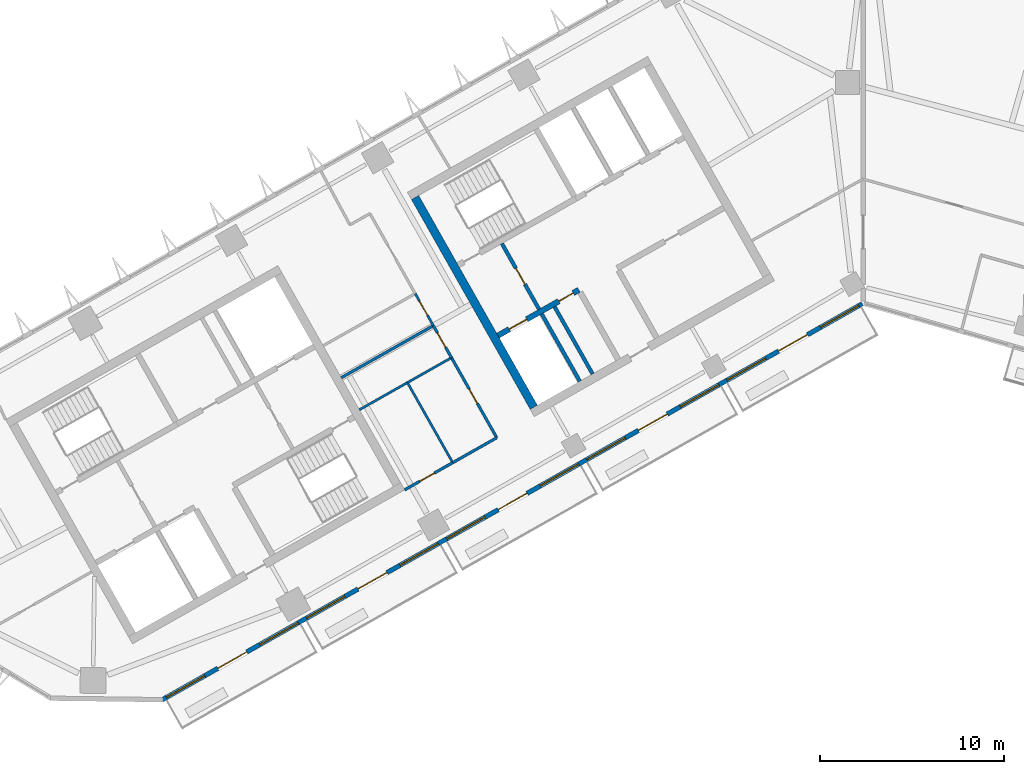
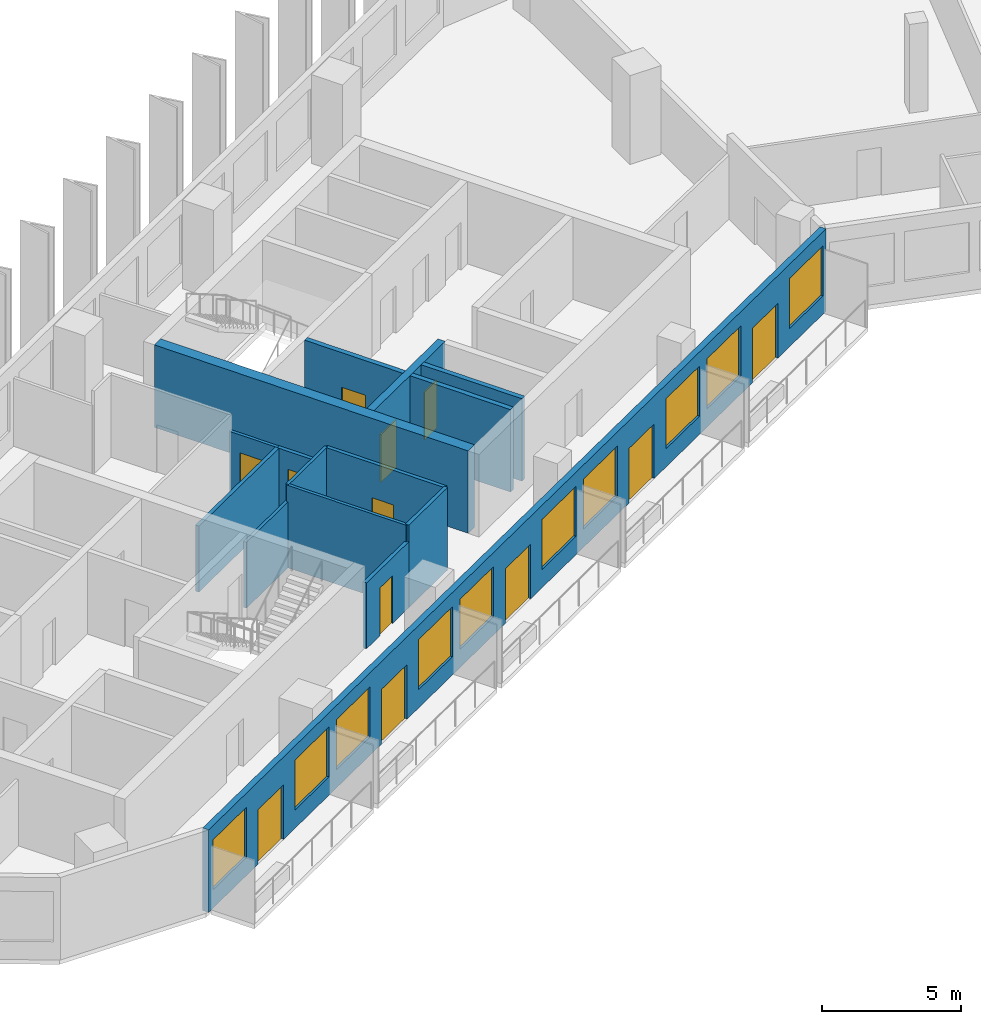
# One storey, part 5 of 11: 15 walls, 12 doors, 10 windows, 22 openings.
"""IFC4 building model written with IfcOpenShell, lengths in metres."""

from ifc_helpers import new_model, si_unit, direction, frame, frame_2d, origin, place, context, subcontext, project, spatial, rectangle, extrude, material, layer, layer_set, type_object, element, fill, save


model = new_model("IFC4")

# Units and contexts
model_context = context("Model", 3, precision=1e-05, world=origin(), true_north=direction((0.0, 1.0)))
body_context = subcontext(model_context, "Body", "Model", "MODEL_VIEW")
ifc_project = project(units=[si_unit("LENGTHUNIT", "METRE"), si_unit("AREAUNIT", "SQUARE_METRE"), si_unit("VOLUMEUNIT", "CUBIC_METRE"), si_unit("PLANEANGLEUNIT", "RADIAN"), si_unit("MASSUNIT", "GRAM", prefix="KILO")], contexts=[model_context])

# Site, building, storey
site_placement = place(None, origin())
site = spatial("IfcSite", under=ifc_project, at=site_placement, CompositionType="ELEMENT")
building_placement = place(site_placement, origin())
building = spatial("IfcBuilding", under=site, at=building_placement, Name="Binnacle Exchange Tower", CompositionType="ELEMENT")
storey_placement = place(building_placement, frame((0.0, 0.0, 207.5)))
storey = spatial("IfcBuildingStorey", under=building, at=storey_placement, Name="L45", CompositionType="ELEMENT", Elevation=207.5)

# Wall, openings, doors
ifc_material_1 = material(Name="Concrete C70/85", Category="concrete")
ifc_layer_1 = layer(ifc_material_1, 0.300048828125)
ifc_layer_set_1 = layer_set([ifc_layer_1], Name="Core wall - front 300")
wall_type_1 = type_object("IfcWallType", Name="Core wall - front 300", PredefinedType="SOLIDWALL", material=ifc_layer_set_1)
wall_1_placement = place(storey_placement, frame((-19.8486328125, 46.242431640625, 0.0), z_axis=(0.0, 0.0, 1.0), x_axis=(0.870347559728, 0.492437940532, 0.0)))
wall_1 = element("IfcWall", 1, at=wall_1_placement, inside=storey, type_object=wall_type_1, Name="Core wall CRWC2", PredefinedType="SOLIDWALL", context=body_context, shape_type="SweptSolid", body=[
    extrude(rectangle(XDim=5.050048828125, YDim=0.300048828125, at=frame_2d((2.52490234375, 0.0))), origin(), (0.0, 0.0, 1.0), 3.6201171875),
])
opening_1_placement = place(wall_1_placement, frame((0.7001953125, 0.0, 0.0)))
opening_1 = element("IfcOpeningElement", 2, at=opening_1_placement, cuts=wall_1, Name="Opening LD14", PredefinedType="OPENING", context=body_context, shape_type="SweptSolid", body=[
    extrude(rectangle(XDim=1.10009765625, YDim=2.10009765625, at=frame_2d((0.550048828125, 1.050048828125))), frame((0.0, 0.159912109375, 0.0), z_axis=(0.0, -1.0, 0.0), x_axis=(1.0, 0.0, 0.0)), (0.0, 0.0, 1.0), 0.320068359375),
])
opening_2_placement = place(wall_1_placement, frame((3.800048828125, 0.0, 0.0)))
opening_2 = element("IfcOpeningElement", 3, at=opening_2_placement, cuts=wall_1, Name="Opening DC14", PredefinedType="OPENING", context=body_context, shape_type="SweptSolid", body=[
    extrude(rectangle(XDim=0.89990234375, YDim=2.10009765625, at=frame_2d((0.449951171875, 1.050048828125))), frame((0.0, 0.159912109375, 0.0), z_axis=(0.0, -1.0, 0.0), x_axis=(1.0, 0.0, 0.0)), (0.0, 0.0, 1.0), 0.320068359375),
])
ifc_material_2 = material(Name="Steel door leaf", Category="steel")
door_type_1 = type_object("IfcDoorType", Name="Fire door - lift landing 1100", OperationType="NOTDEFINED", PredefinedType="DOOR", material=ifc_material_2)
door_1_placement = place(opening_1_placement, origin())
door_1 = element("IfcDoor", 4, at=door_1_placement, inside=storey, type_object=door_type_1, Name="Landing door LD14 L45", OperationType="DOUBLE_DOOR_SLIDING", OverallHeight=2.10009765625, OverallWidth=1.10009765625, PredefinedType="DOOR", context=body_context, shape_type="SweptSolid", body=[
    extrude(rectangle(XDim=1.10009765625, YDim=2.10009765625, at=frame_2d((0.550048828125, 1.050048828125))), frame((0.0, 0.02490234375, 0.0), z_axis=(0.0, -1.0, 0.0), x_axis=(1.0, 0.0, 0.0)), (0.0, 0.0, 1.0), 0.050048828125),
])
fill(opening_1, door_1)
door_type_2 = type_object("IfcDoorType", Name="Fire door 900", OperationType="NOTDEFINED", PredefinedType="DOOR", material=ifc_material_2)
door_2_placement = place(opening_2_placement, frame((0.89990234375, 0.0, 0.0), z_axis=(0.0, 0.0, 1.0), x_axis=(-1.0, 0.0, 0.0)))
door_2 = element("IfcDoor", 5, at=door_2_placement, inside=storey, type_object=door_type_2, Name="Core room door FIBRE ENTRY ROOM", OperationType="SINGLE_SWING_LEFT", OverallHeight=2.10009765625, OverallWidth=0.89990234375, PredefinedType="DOOR", context=body_context, shape_type="SweptSolid", body=[
    extrude(rectangle(XDim=0.89990234375, YDim=2.10009765625, at=frame_2d((0.449951171875, 1.050048828125))), frame((0.0, 0.02490234375, 0.0), z_axis=(0.0, -1.0, 0.0), x_axis=(1.0, 0.0, 0.0)), (0.0, 0.0, 1.0), 0.050048828125),
])
fill(opening_2, door_2)

# Wall
ifc_layer_2 = layer(ifc_material_1, 0.449951171875)
ifc_layer_set_2 = layer_set([ifc_layer_2], Name="Core wall - outer 450")
wall_type_2 = type_object("IfcWallType", Name="Core wall - outer 450", PredefinedType="SOLIDWALL", material=ifc_layer_set_2)
wall_2_placement = place(storey_placement, frame((-24.353271484375, 53.747314453125, 0.0), z_axis=(0.0, 0.0, 1.0), x_axis=(0.492435496286, -0.870348942665, 0.0)))
element("IfcWall", 6, at=wall_2_placement, inside=storey, type_object=wall_type_2, Name="Core wall CRWC7", PredefinedType="SOLIDWALL", context=body_context, shape_type="SweptSolid", body=[
    extrude(rectangle(XDim=13.10009765625, YDim=0.449951171875, at=frame_2d((6.550048828125, 0.0))), origin(), (0.0, 0.0, 1.0), 3.6201171875),
])

# Wall, openings, doors, windows
ifc_material_3 = material(Name="Bronze aluminium cladding", Category="aluminium")
ifc_layer_3 = layer(ifc_material_3, 0.25)
ifc_layer_set_3 = layer_set([ifc_layer_3], Name="External wall - window wall 250")
wall_type_3 = type_object("IfcWallType", Name="External wall - window wall 250", PredefinedType="STANDARD", material=ifc_layer_set_3)
wall_3_placement = place(storey_placement, frame((-0.045654296875, 47.97412109375, 0.0), z_axis=(0.0, 0.0, 1.0), x_axis=(-0.870356579543, -0.492421998337, 0.0)))
wall_3 = element("IfcWall", 7, at=wall_3_placement, inside=storey, type_object=wall_type_3, Name="External wall EW-G01 L45", PredefinedType="STANDARD", context=body_context, shape_type="SweptSolid", body=[
    extrude(rectangle(XDim=43.75390625, YDim=0.25, at=frame_2d((21.876953125, 0.0))), origin(), (0.0, 0.0, 1.0), 3.6201171875),
])
opening_3_placement = place(wall_3_placement, frame((41.061279296875, 0.0, 0.800048828125)))
opening_3 = element("IfcOpeningElement", 8, at=opening_3_placement, cuts=wall_3, Name="Opening WR1", PredefinedType="OPENING", context=body_context, shape_type="SweptSolid", body=[
    extrude(rectangle(XDim=2.39990234375, YDim=2.199951171875, at=frame_2d((1.199951171875, 1.10009765625))), frame((0.0, 0.135009765625, 0.0), z_axis=(0.0, -1.0, 0.0), x_axis=(1.0, 0.0, 0.0)), (0.0, 0.0, 1.0), 0.27001953125),
])
opening_4_placement = place(wall_3_placement, frame((38.443115234375, 0.0, 0.0)))
opening_4 = element("IfcOpeningElement", 9, at=opening_4_placement, cuts=wall_3, Name="Opening D-FS13-01", PredefinedType="OPENING", context=body_context, shape_type="SweptSolid", body=[
    extrude(rectangle(XDim=1.800048828125, YDim=2.39990234375, at=frame_2d((0.89990234375, 1.199951171875))), frame((0.0, 0.135009765625, 0.0), z_axis=(0.0, -1.0, 0.0), x_axis=(1.0, 0.0, 0.0)), (0.0, 0.0, 1.0), 0.27001953125),
])
opening_5_placement = place(wall_3_placement, frame((35.224853515625, 0.0, 0.800048828125)))
opening_5 = element("IfcOpeningElement", 10, at=opening_5_placement, cuts=wall_3, Name="Opening WR1", PredefinedType="OPENING", context=body_context, shape_type="SweptSolid", body=[
    extrude(rectangle(XDim=2.39990234375, YDim=2.199951171875, at=frame_2d((1.199951171875, 1.10009765625))), frame((0.0, 0.135009765625, 0.0), z_axis=(0.0, -1.0, 0.0), x_axis=(1.0, 0.0, 0.0)), (0.0, 0.0, 1.0), 0.27001953125),
])
opening_6_placement = place(wall_3_placement, frame((32.306640625, 0.0, 0.800048828125)))
opening_6 = element("IfcOpeningElement", 11, at=opening_6_placement, cuts=wall_3, Name="Opening WR1", PredefinedType="OPENING", context=body_context, shape_type="SweptSolid", body=[
    extrude(rectangle(XDim=2.39990234375, YDim=2.199951171875, at=frame_2d((1.199951171875, 1.10009765625))), frame((0.0, 0.135009765625, 0.0), z_axis=(0.0, -1.0, 0.0), x_axis=(1.0, 0.0, 0.0)), (0.0, 0.0, 1.0), 0.27001953125),
])
opening_7_placement = place(wall_3_placement, frame((29.6884765625, 0.0, 0.0)))
opening_7 = element("IfcOpeningElement", 12, at=opening_7_placement, cuts=wall_3, Name="Opening D-FS13-02", PredefinedType="OPENING", context=body_context, shape_type="SweptSolid", body=[
    extrude(rectangle(XDim=1.800048828125, YDim=2.39990234375, at=frame_2d((0.89990234375, 1.199951171875))), frame((0.0, 0.135009765625, 0.0), z_axis=(0.0, -1.0, 0.0), x_axis=(1.0, 0.0, 0.0)), (0.0, 0.0, 1.0), 0.27001953125),
])
opening_8_placement = place(wall_3_placement, frame((26.47021484375, 0.0, 0.800048828125)))
opening_8 = element("IfcOpeningElement", 13, at=opening_8_placement, cuts=wall_3, Name="Opening WR1", PredefinedType="OPENING", context=body_context, shape_type="SweptSolid", body=[
    extrude(rectangle(XDim=2.39990234375, YDim=2.199951171875, at=frame_2d((1.199951171875, 1.10009765625))), frame((0.0, 0.135009765625, 0.0), z_axis=(0.0, -1.0, 0.0), x_axis=(1.0, 0.0, 0.0)), (0.0, 0.0, 1.0), 0.27001953125),
])
opening_9_placement = place(wall_3_placement, frame((23.552001953125, 0.0, 0.800048828125)))
opening_9 = element("IfcOpeningElement", 14, at=opening_9_placement, cuts=wall_3, Name="Opening WR1", PredefinedType="OPENING", context=body_context, shape_type="SweptSolid", body=[
    extrude(rectangle(XDim=2.39990234375, YDim=2.199951171875, at=frame_2d((1.199951171875, 1.10009765625))), frame((0.0, 0.135009765625, 0.0), z_axis=(0.0, -1.0, 0.0), x_axis=(1.0, 0.0, 0.0)), (0.0, 0.0, 1.0), 0.27001953125),
])
opening_10_placement = place(wall_3_placement, frame((20.93408203125, 0.0, 0.0)))
opening_10 = element("IfcOpeningElement", 15, at=opening_10_placement, cuts=wall_3, Name="Opening D-FS13-03", PredefinedType="OPENING", context=body_context, shape_type="SweptSolid", body=[
    extrude(rectangle(XDim=1.7998046875, YDim=2.39990234375, at=frame_2d((0.89990234375, 1.199951171875))), frame((0.0, 0.135009765625, 0.0), z_axis=(0.0, -1.0, 0.0), x_axis=(1.0, 0.0, 0.0)), (0.0, 0.0, 1.0), 0.27001953125),
])
opening_11_placement = place(wall_3_placement, frame((17.7158203125, 0.0, 0.800048828125)))
opening_11 = element("IfcOpeningElement", 16, at=opening_11_placement, cuts=wall_3, Name="Opening WR1", PredefinedType="OPENING", context=body_context, shape_type="SweptSolid", body=[
    extrude(rectangle(XDim=2.39990234375, YDim=2.199951171875, at=frame_2d((1.199951171875, 1.10009765625))), frame((0.0, 0.135009765625, 0.0), z_axis=(0.0, -1.0, 0.0), x_axis=(1.0, 0.0, 0.0)), (0.0, 0.0, 1.0), 0.27001953125),
])
opening_12_placement = place(wall_3_placement, frame((14.797607421875, 0.0, 0.800048828125)))
opening_12 = element("IfcOpeningElement", 17, at=opening_12_placement, cuts=wall_3, Name="Opening WR1", PredefinedType="OPENING", context=body_context, shape_type="SweptSolid", body=[
    extrude(rectangle(XDim=2.39990234375, YDim=2.199951171875, at=frame_2d((1.199951171875, 1.10009765625))), frame((0.0, 0.135009765625, 0.0), z_axis=(0.0, -1.0, 0.0), x_axis=(1.0, 0.0, 0.0)), (0.0, 0.0, 1.0), 0.27001953125),
])
opening_13_placement = place(wall_3_placement, frame((12.179443359375, 0.0, 0.0)))
opening_13 = element("IfcOpeningElement", 18, at=opening_13_placement, cuts=wall_3, Name="Opening D-FS13-04", PredefinedType="OPENING", context=body_context, shape_type="SweptSolid", body=[
    extrude(rectangle(XDim=1.800048828125, YDim=2.39990234375, at=frame_2d((0.89990234375, 1.199951171875))), frame((0.0, 0.135009765625, 0.0), z_axis=(0.0, -1.0, 0.0), x_axis=(1.0, 0.0, 0.0)), (0.0, 0.0, 1.0), 0.27001953125),
])
opening_14_placement = place(wall_3_placement, frame((8.961181640625, 0.0, 0.800048828125)))
opening_14 = element("IfcOpeningElement", 19, at=opening_14_placement, cuts=wall_3, Name="Opening WR1", PredefinedType="OPENING", context=body_context, shape_type="SweptSolid", body=[
    extrude(rectangle(XDim=2.39990234375, YDim=2.199951171875, at=frame_2d((1.199951171875, 1.10009765625))), frame((0.0, 0.135009765625, 0.0), z_axis=(0.0, -1.0, 0.0), x_axis=(1.0, 0.0, 0.0)), (0.0, 0.0, 1.0), 0.27001953125),
])
opening_15_placement = place(wall_3_placement, frame((6.04296875, 0.0, 0.800048828125)))
opening_15 = element("IfcOpeningElement", 20, at=opening_15_placement, cuts=wall_3, Name="Opening WR1", PredefinedType="OPENING", context=body_context, shape_type="SweptSolid", body=[
    extrude(rectangle(XDim=2.400146484375, YDim=2.199951171875, at=frame_2d((1.2001953125, 1.10009765625))), frame((0.0, 0.135009765625, 0.0), z_axis=(0.0, -1.0, 0.0), x_axis=(1.0, 0.0, 0.0)), (0.0, 0.0, 1.0), 0.27001953125),
])
opening_16_placement = place(wall_3_placement, frame((3.4248046875, 0.0, 0.0)))
opening_16 = element("IfcOpeningElement", 21, at=opening_16_placement, cuts=wall_3, Name="Opening D-FS13-05", PredefinedType="OPENING", context=body_context, shape_type="SweptSolid", body=[
    extrude(rectangle(XDim=1.800048828125, YDim=2.39990234375, at=frame_2d((0.89990234375, 1.199951171875))), frame((0.0, 0.135009765625, 0.0), z_axis=(0.0, -1.0, 0.0), x_axis=(1.0, 0.0, 0.0)), (0.0, 0.0, 1.0), 0.27001953125),
])
opening_17_placement = place(wall_3_placement, frame((0.206787109375, 0.0, 0.800048828125)))
opening_17 = element("IfcOpeningElement", 22, at=opening_17_placement, cuts=wall_3, Name="Opening WR1", PredefinedType="OPENING", context=body_context, shape_type="SweptSolid", body=[
    extrude(rectangle(XDim=2.39990234375, YDim=2.199951171875, at=frame_2d((1.199951171875, 1.10009765625))), frame((0.0, 0.135009765625, 0.0), z_axis=(0.0, -1.0, 0.0), x_axis=(1.0, 0.0, 0.0)), (0.0, 0.0, 1.0), 0.27001953125),
])
ifc_material_4 = material(Name="Bronze anodised aluminium frame", Category="aluminium")
door_type_3 = type_object("IfcDoorType", Name="DB DOOR 1800x2400", OperationType="DOUBLE_DOOR_SINGLE_SWING", PredefinedType="DOOR", material=ifc_material_4)
door_3_placement = place(opening_4_placement, origin())
door_3 = element("IfcDoor", 23, at=door_3_placement, inside=storey, type_object=door_type_3, Name="Door D-FS13-01 L45", OperationType="DOUBLE_DOOR_SINGLE_SWING", OverallHeight=2.39990234375, OverallWidth=1.800048828125, PredefinedType="DOOR", context=body_context, shape_type="SweptSolid", body=[
    extrude(rectangle(XDim=1.800048828125, YDim=2.39990234375, at=frame_2d((0.89990234375, 1.199951171875))), frame((0.0, 0.02490234375, 0.0), z_axis=(0.0, -1.0, 0.0), x_axis=(1.0, 0.0, 0.0)), (0.0, 0.0, 1.0), 0.050048828125),
])
fill(opening_4, door_3)
door_4_placement = place(opening_7_placement, origin())
door_4 = element("IfcDoor", 24, at=door_4_placement, inside=storey, type_object=door_type_3, Name="Door D-FS13-02 L45", OperationType="DOUBLE_DOOR_SINGLE_SWING", OverallHeight=2.39990234375, OverallWidth=1.800048828125, PredefinedType="DOOR", context=body_context, shape_type="SweptSolid", body=[
    extrude(rectangle(XDim=1.800048828125, YDim=2.39990234375, at=frame_2d((0.89990234375, 1.199951171875))), frame((0.0, 0.02490234375, 0.0), z_axis=(0.0, -1.0, 0.0), x_axis=(1.0, 0.0, 0.0)), (0.0, 0.0, 1.0), 0.050048828125),
])
fill(opening_7, door_4)
door_5_placement = place(opening_10_placement, origin())
door_5 = element("IfcDoor", 25, at=door_5_placement, inside=storey, type_object=door_type_3, Name="Door D-FS13-03 L45", OperationType="DOUBLE_DOOR_SINGLE_SWING", OverallHeight=2.39990234375, OverallWidth=1.7998046875, PredefinedType="DOOR", context=body_context, shape_type="SweptSolid", body=[
    extrude(rectangle(XDim=1.7998046875, YDim=2.39990234375, at=frame_2d((0.89990234375, 1.199951171875))), frame((0.0, 0.02490234375, 0.0), z_axis=(0.0, -1.0, 0.0), x_axis=(1.0, 0.0, 0.0)), (0.0, 0.0, 1.0), 0.050048828125),
])
fill(opening_10, door_5)
door_6_placement = place(opening_13_placement, origin())
door_6 = element("IfcDoor", 26, at=door_6_placement, inside=storey, type_object=door_type_3, Name="Door D-FS13-04 L45", OperationType="DOUBLE_DOOR_SINGLE_SWING", OverallHeight=2.39990234375, OverallWidth=1.800048828125, PredefinedType="DOOR", context=body_context, shape_type="SweptSolid", body=[
    extrude(rectangle(XDim=1.800048828125, YDim=2.39990234375, at=frame_2d((0.89990234375, 1.199951171875))), frame((0.0, 0.02490234375, 0.0), z_axis=(0.0, -1.0, 0.0), x_axis=(1.0, 0.0, 0.0)), (0.0, 0.0, 1.0), 0.050048828125),
])
fill(opening_13, door_6)
door_7_placement = place(opening_16_placement, origin())
door_7 = element("IfcDoor", 27, at=door_7_placement, inside=storey, type_object=door_type_3, Name="Door D-FS13-05 L45", OperationType="DOUBLE_DOOR_SINGLE_SWING", OverallHeight=2.39990234375, OverallWidth=1.800048828125, PredefinedType="DOOR", context=body_context, shape_type="SweptSolid", body=[
    extrude(rectangle(XDim=1.800048828125, YDim=2.39990234375, at=frame_2d((0.89990234375, 1.199951171875))), frame((0.0, 0.02490234375, 0.0), z_axis=(0.0, -1.0, 0.0), x_axis=(1.0, 0.0, 0.0)), (0.0, 0.0, 1.0), 0.050048828125),
])
fill(opening_16, door_7)
window_type = type_object("IfcWindowType", Name="WR1 WINDOW 2400x2200", PartitioningType="SINGLE_PANEL", PredefinedType="WINDOW", material=ifc_material_4)
window_1_placement = place(opening_3_placement, origin())
window_1 = element("IfcWindow", 28, at=window_1_placement, inside=storey, type_object=window_type, Name="Window WR1 L45", OverallHeight=2.199951171875, OverallWidth=2.39990234375, PartitioningType="SINGLE_PANEL", PredefinedType="WINDOW", context=body_context, shape_type="SweptSolid", body=[
    extrude(rectangle(XDim=2.39990234375, YDim=2.199951171875, at=frame_2d((1.199951171875, 1.10009765625))), frame((0.0, 0.030029296875, 0.0), z_axis=(0.0, -1.0, 0.0), x_axis=(1.0, 0.0, 0.0)), (0.0, 0.0, 1.0), 0.06005859375),
])
fill(opening_3, window_1)
window_2_placement = place(opening_5_placement, origin())
window_2 = element("IfcWindow", 29, at=window_2_placement, inside=storey, type_object=window_type, Name="Window WR1 L45", OverallHeight=2.199951171875, OverallWidth=2.39990234375, PartitioningType="SINGLE_PANEL", PredefinedType="WINDOW", context=body_context, shape_type="SweptSolid", body=[
    extrude(rectangle(XDim=2.39990234375, YDim=2.199951171875, at=frame_2d((1.199951171875, 1.10009765625))), frame((0.0, 0.030029296875, 0.0), z_axis=(0.0, -1.0, 0.0), x_axis=(1.0, 0.0, 0.0)), (0.0, 0.0, 1.0), 0.06005859375),
])
fill(opening_5, window_2)
window_3_placement = place(opening_6_placement, origin())
window_3 = element("IfcWindow", 30, at=window_3_placement, inside=storey, type_object=window_type, Name="Window WR1 L45", OverallHeight=2.199951171875, OverallWidth=2.39990234375, PartitioningType="SINGLE_PANEL", PredefinedType="WINDOW", context=body_context, shape_type="SweptSolid", body=[
    extrude(rectangle(XDim=2.39990234375, YDim=2.199951171875, at=frame_2d((1.199951171875, 1.10009765625))), frame((0.0, 0.030029296875, 0.0), z_axis=(0.0, -1.0, 0.0), x_axis=(1.0, 0.0, 0.0)), (0.0, 0.0, 1.0), 0.06005859375),
])
fill(opening_6, window_3)
window_4_placement = place(opening_8_placement, origin())
window_4 = element("IfcWindow", 31, at=window_4_placement, inside=storey, type_object=window_type, Name="Window WR1 L45", OverallHeight=2.199951171875, OverallWidth=2.39990234375, PartitioningType="SINGLE_PANEL", PredefinedType="WINDOW", context=body_context, shape_type="SweptSolid", body=[
    extrude(rectangle(XDim=2.39990234375, YDim=2.199951171875, at=frame_2d((1.199951171875, 1.10009765625))), frame((0.0, 0.030029296875, 0.0), z_axis=(0.0, -1.0, 0.0), x_axis=(1.0, 0.0, 0.0)), (0.0, 0.0, 1.0), 0.06005859375),
])
fill(opening_8, window_4)
window_5_placement = place(opening_9_placement, origin())
window_5 = element("IfcWindow", 32, at=window_5_placement, inside=storey, type_object=window_type, Name="Window WR1 L45", OverallHeight=2.199951171875, OverallWidth=2.39990234375, PartitioningType="SINGLE_PANEL", PredefinedType="WINDOW", context=body_context, shape_type="SweptSolid", body=[
    extrude(rectangle(XDim=2.39990234375, YDim=2.199951171875, at=frame_2d((1.199951171875, 1.10009765625))), frame((0.0, 0.030029296875, 0.0), z_axis=(0.0, -1.0, 0.0), x_axis=(1.0, 0.0, 0.0)), (0.0, 0.0, 1.0), 0.06005859375),
])
fill(opening_9, window_5)
window_6_placement = place(opening_11_placement, origin())
window_6 = element("IfcWindow", 33, at=window_6_placement, inside=storey, type_object=window_type, Name="Window WR1 L45", OverallHeight=2.199951171875, OverallWidth=2.39990234375, PartitioningType="SINGLE_PANEL", PredefinedType="WINDOW", context=body_context, shape_type="SweptSolid", body=[
    extrude(rectangle(XDim=2.39990234375, YDim=2.199951171875, at=frame_2d((1.199951171875, 1.10009765625))), frame((0.0, 0.030029296875, 0.0), z_axis=(0.0, -1.0, 0.0), x_axis=(1.0, 0.0, 0.0)), (0.0, 0.0, 1.0), 0.06005859375),
])
fill(opening_11, window_6)
window_7_placement = place(opening_12_placement, origin())
window_7 = element("IfcWindow", 34, at=window_7_placement, inside=storey, type_object=window_type, Name="Window WR1 L45", OverallHeight=2.199951171875, OverallWidth=2.39990234375, PartitioningType="SINGLE_PANEL", PredefinedType="WINDOW", context=body_context, shape_type="SweptSolid", body=[
    extrude(rectangle(XDim=2.39990234375, YDim=2.199951171875, at=frame_2d((1.199951171875, 1.10009765625))), frame((0.0, 0.030029296875, 0.0), z_axis=(0.0, -1.0, 0.0), x_axis=(1.0, 0.0, 0.0)), (0.0, 0.0, 1.0), 0.06005859375),
])
fill(opening_12, window_7)
window_8_placement = place(opening_14_placement, origin())
window_8 = element("IfcWindow", 35, at=window_8_placement, inside=storey, type_object=window_type, Name="Window WR1 L45", OverallHeight=2.199951171875, OverallWidth=2.39990234375, PartitioningType="SINGLE_PANEL", PredefinedType="WINDOW", context=body_context, shape_type="SweptSolid", body=[
    extrude(rectangle(XDim=2.39990234375, YDim=2.199951171875, at=frame_2d((1.199951171875, 1.10009765625))), frame((0.0, 0.030029296875, 0.0), z_axis=(0.0, -1.0, 0.0), x_axis=(1.0, 0.0, 0.0)), (0.0, 0.0, 1.0), 0.06005859375),
])
fill(opening_14, window_8)
window_9_placement = place(opening_15_placement, origin())
window_9 = element("IfcWindow", 36, at=window_9_placement, inside=storey, type_object=window_type, Name="Window WR1 L45", OverallHeight=2.199951171875, OverallWidth=2.400146484375, PartitioningType="SINGLE_PANEL", PredefinedType="WINDOW", context=body_context, shape_type="SweptSolid", body=[
    extrude(rectangle(XDim=2.400146484375, YDim=2.199951171875, at=frame_2d((1.2001953125, 1.10009765625))), frame((0.0, 0.030029296875, 0.0), z_axis=(0.0, -1.0, 0.0), x_axis=(1.0, 0.0, 0.0)), (0.0, 0.0, 1.0), 0.06005859375),
])
fill(opening_15, window_9)
window_10_placement = place(opening_17_placement, origin())
window_10 = element("IfcWindow", 37, at=window_10_placement, inside=storey, type_object=window_type, Name="Window WR1 L45", OverallHeight=2.199951171875, OverallWidth=2.39990234375, PartitioningType="SINGLE_PANEL", PredefinedType="WINDOW", context=body_context, shape_type="SweptSolid", body=[
    extrude(rectangle(XDim=2.39990234375, YDim=2.199951171875, at=frame_2d((1.199951171875, 1.10009765625))), frame((0.0, 0.030029296875, 0.0), z_axis=(0.0, -1.0, 0.0), x_axis=(1.0, 0.0, 0.0)), (0.0, 0.0, 1.0), 0.06005859375),
])
fill(opening_17, window_10)

# Wall, opening, door
ifc_material_5 = material(Name="Masonry block wall", Category="masonry")
ifc_layer_4 = layer(ifc_material_5, 0.199951171875)
ifc_layer_set_4 = layer_set([ifc_layer_4], Name="Fire wall - vestibule 200")
wall_type_4 = type_object("IfcWallType", Name="Fire wall - vestibule 200", PredefinedType="PARTITIONING", material=ifc_layer_set_4)
wall_4_placement = place(storey_placement, frame((-19.635009765625, 51.246337890625, 0.0), z_axis=(0.0, 0.0, 1.0), x_axis=(0.492408451753, -0.87036424366, 0.0)))
wall_4 = element("IfcWall", 38, at=wall_4_placement, inside=storey, type_object=wall_type_4, Name="Core wall CRWC10", PredefinedType="PARTITIONING", context=body_context, shape_type="SweptSolid", body=[
    extrude(rectangle(XDim=4.099853515625, YDim=0.199951171875, at=frame_2d((2.0498046875, 0.0))), origin(), (0.0, 0.0, 1.0), 3.6201171875),
])
opening_18_placement = place(wall_4_placement, frame((1.550048828125, 0.0, 0.0)))
opening_18 = element("IfcOpeningElement", 39, at=opening_18_placement, cuts=wall_4, Name="Opening DC3", PredefinedType="OPENING", context=body_context, shape_type="SweptSolid", body=[
    extrude(rectangle(XDim=1.0, YDim=2.10009765625, at=frame_2d((0.5, 1.050048828125))), frame((0.0, 0.10986328125, 0.0), z_axis=(0.0, -1.0, 0.0), x_axis=(1.0, 0.0, 0.0)), (0.0, 0.0, 1.0), 0.219970703125),
])
door_type_4 = type_object("IfcDoorType", Name="Fire door 1000", OperationType="NOTDEFINED", PredefinedType="DOOR", material=ifc_material_2)
door_8_placement = place(opening_18_placement, frame((1.0, 0.0, 0.0), z_axis=(0.0, 0.0, 1.0), x_axis=(-1.0, 0.0, 0.0)))
door_8 = element("IfcDoor", 40, at=door_8_placement, inside=storey, type_object=door_type_4, Name="Vestibule door VEST-W", OperationType="SINGLE_SWING_RIGHT", OverallHeight=2.10009765625, OverallWidth=1.0, PredefinedType="DOOR", context=body_context, shape_type="SweptSolid", body=[
    extrude(rectangle(XDim=1.0, YDim=2.10009765625, at=frame_2d((0.5, 1.050048828125))), frame((0.0, 0.02490234375, 0.0), z_axis=(0.0, -1.0, 0.0), x_axis=(1.0, 0.0, 0.0)), (0.0, 0.0, 1.0), 0.050048828125),
])
fill(opening_18, door_8)

# Wall
ifc_material_6 = material(Name="Gypsum partition fire rated")
ifc_layer_5 = layer(ifc_material_6, 0.14990234375)
ifc_layer_set_5 = layer_set([ifc_layer_5], Name="Fire-rated partition 150")
wall_type_5 = type_object("IfcWallType", Name="Fire-rated partition 150", PredefinedType="PARTITIONING", material=ifc_layer_set_5)
wall_5_placement = place(storey_placement, frame((-28.365966796875, 43.951904296875, 0.0), z_axis=(0.0, 0.0, 1.0), x_axis=(0.870398309195, 0.492348233825, 0.0)))
element("IfcWall", 41, at=wall_5_placement, inside=storey, type_object=wall_type_5, Name="Partition W05", PredefinedType="PARTITIONING", context=body_context, shape_type="SweptSolid", body=[
    extrude(rectangle(XDim=5.75, YDim=0.14990234375, at=frame_2d((2.875, 0.0))), origin(), (0.0, 0.0, 1.0), 2.89208984375),
])

# Wall, opening, door
wall_6_placement = place(storey_placement, frame((-24.9189453125, 37.85888671875, 0.0), z_axis=(0.0, 0.0, 1.0), x_axis=(0.870368744559, 0.492400496034, 0.0)))
wall_6 = element("IfcWall", 42, at=wall_6_placement, inside=storey, type_object=wall_type_5, Name="Partition W09", PredefinedType="PARTITIONING", context=body_context, shape_type="SweptSolid", body=[
    extrude(rectangle(XDim=2.999755859375, YDim=0.14990234375, at=frame_2d((1.5, 0.0))), origin(), (0.0, 0.0, 1.0), 2.89208984375),
])
opening_19_placement = place(wall_6_placement, frame((0.949951171875, 0.0, 0.0)))
opening_19 = element("IfcOpeningElement", 43, at=opening_19_placement, cuts=wall_6, Name="Opening DL45-03", PredefinedType="OPENING", context=body_context, shape_type="SweptSolid", body=[
    extrude(rectangle(XDim=0.89990234375, YDim=2.10009765625, at=frame_2d((0.449951171875, 1.050048828125))), frame((0.0, 0.0849609375, 0.0), z_axis=(0.0, -1.0, 0.0), x_axis=(1.0, 0.0, 0.0)), (0.0, 0.0, 1.0), 0.169921875),
])
door_9_placement = place(opening_19_placement, origin())
door_9 = element("IfcDoor", 44, at=door_9_placement, inside=storey, type_object=door_type_2, Name="Door DL45-03", OperationType="SINGLE_SWING_LEFT", OverallHeight=2.10009765625, OverallWidth=0.89990234375, PredefinedType="DOOR", context=body_context, shape_type="SweptSolid", body=[
    extrude(rectangle(XDim=0.89990234375, YDim=2.10009765625, at=frame_2d((0.449951171875, 1.050048828125))), frame((0.0, 0.02490234375, 0.0), z_axis=(0.0, -1.0, 0.0), x_axis=(1.0, 0.0, 0.0)), (0.0, 0.0, 1.0), 0.050048828125),
])
fill(opening_19, door_9)

wall_7_placement = place(storey_placement, frame((-23.361083984375, 46.782958984375, 0.0), z_axis=(0.0, 0.0, 1.0), x_axis=(0.492467412326, -0.870330884088, 0.0)))
wall_7 = element("IfcWall", 45, at=wall_7_placement, inside=storey, type_object=wall_type_5, Name="Partition W14", PredefinedType="PARTITIONING", context=body_context, shape_type="SweptSolid", body=[
    extrude(rectangle(XDim=2.000244140625, YDim=0.14990234375, at=frame_2d((1.0, 0.0))), origin(), (0.0, 0.0, 1.0), 2.89208984375),
])
opening_20_placement = place(wall_7_placement, frame((0.449951171875, 0.0, 0.0)))
opening_20 = element("IfcOpeningElement", 46, at=opening_20_placement, cuts=wall_7, Name="Opening DL45-05", PredefinedType="OPENING", context=body_context, shape_type="SweptSolid", body=[
    extrude(rectangle(XDim=0.89990234375, YDim=2.10009765625, at=frame_2d((0.449951171875, 1.050048828125))), frame((0.0, 0.0849609375, 0.0), z_axis=(0.0, -1.0, 0.0), x_axis=(1.0, 0.0, 0.0)), (0.0, 0.0, 1.0), 0.169921875),
])
door_10_placement = place(opening_20_placement, frame((0.89990234375, 0.0, 0.0), z_axis=(0.0, 0.0, 1.0), x_axis=(-1.0, 0.0, 0.0)))
door_10 = element("IfcDoor", 47, at=door_10_placement, inside=storey, type_object=door_type_2, Name="Door DL45-05", OperationType="SINGLE_SWING_RIGHT", OverallHeight=2.10009765625, OverallWidth=0.89990234375, PredefinedType="DOOR", context=body_context, shape_type="SweptSolid", body=[
    extrude(rectangle(XDim=0.89990234375, YDim=2.10009765625, at=frame_2d((0.449951171875, 1.050048828125))), frame((0.0, 0.02490234375, 0.0), z_axis=(0.0, -1.0, 0.0), x_axis=(1.0, 0.0, 0.0)), (0.0, 0.0, 1.0), 0.050048828125),
])
fill(opening_20, door_10)

wall_8_placement = place(storey_placement, frame((-22.3759765625, 45.0419921875, 0.0), z_axis=(0.0, 0.0, 1.0), x_axis=(0.49245306389, -0.870339002841, 0.0)))
wall_8 = element("IfcWall", 48, at=wall_8_placement, inside=storey, type_object=wall_type_5, Name="Partition W15", PredefinedType="PARTITIONING", context=body_context, shape_type="SweptSolid", body=[
    extrude(rectangle(XDim=4.999267578125, YDim=0.14990234375, at=frame_2d((2.49951171875, 0.0))), origin(), (0.0, 0.0, 1.0), 3.6201171875),
])
opening_21_placement = place(wall_8_placement, frame((1.949951171875, 0.0, 0.0)))
opening_21 = element("IfcOpeningElement", 49, at=opening_21_placement, cuts=wall_8, Name="Opening DL45-04", PredefinedType="OPENING", context=body_context, shape_type="SweptSolid", body=[
    extrude(rectangle(XDim=0.89990234375, YDim=2.10009765625, at=frame_2d((0.449951171875, 1.050048828125))), frame((0.0, 0.0849609375, 0.0), z_axis=(0.0, -1.0, 0.0), x_axis=(1.0, 0.0, 0.0)), (0.0, 0.0, 1.0), 0.169921875),
])
door_11_placement = place(opening_21_placement, frame((0.89990234375, 0.0, 0.0), z_axis=(0.0, 0.0, 1.0), x_axis=(-1.0, 0.0, 0.0)))
door_11 = element("IfcDoor", 50, at=door_11_placement, inside=storey, type_object=door_type_2, Name="Door DL45-04", OperationType="SINGLE_SWING_RIGHT", OverallHeight=2.10009765625, OverallWidth=0.89990234375, PredefinedType="DOOR", context=body_context, shape_type="SweptSolid", body=[
    extrude(rectangle(XDim=0.89990234375, YDim=2.10009765625, at=frame_2d((0.449951171875, 1.050048828125))), frame((0.0, 0.02490234375, 0.0), z_axis=(0.0, -1.0, 0.0), x_axis=(1.0, 0.0, 0.0)), (0.0, 0.0, 1.0), 0.050048828125),
])
fill(opening_21, door_11)

# Walls
wall_9_placement = place(storey_placement, frame((-22.30810546875, 39.3359375, 0.0), z_axis=(0.0, 0.0, 1.0), x_axis=(0.870278389592, 0.492560173591, 0.0)))
element("IfcWall", 51, at=wall_9_placement, inside=storey, type_object=wall_type_5, Name="Partition W16", PredefinedType="PARTITIONING", context=body_context, shape_type="SweptSolid", body=[
    extrude(rectangle(XDim=2.7509765625, YDim=0.14990234375, at=frame_2d((1.37548828125, 0.0))), origin(), (0.0, 0.0, 1.0), 3.6201171875),
])
ifc_material_7 = material(Name="Gypsum partition")
ifc_layer_6 = layer(ifc_material_7, 0.125)
ifc_layer_set_6 = layer_set([ifc_layer_6], Name="Partition 125")
wall_type_6 = type_object("IfcWallType", Name="Partition 125", PredefinedType="PARTITIONING", material=ifc_layer_set_6)
wall_10_placement = place(storey_placement, frame((-27.381103515625, 42.2109375, 0.0), z_axis=(0.0, 0.0, 1.0), x_axis=(0.870388475779, 0.492365617434, 0.0)))
element("IfcWall", 52, at=wall_10_placement, inside=storey, type_object=wall_type_6, Name="Partition W07", PredefinedType="PARTITIONING", context=body_context, shape_type="SweptSolid", body=[
    extrude(rectangle(XDim=3.0, YDim=0.125, at=frame_2d((1.5, 0.0))), origin(), (0.0, 0.0, 1.0), 2.89208984375),
])
wall_11_placement = place(storey_placement, frame((-24.77001953125, 43.68798828125, 0.0), z_axis=(0.0, 0.0, 1.0), x_axis=(0.870430549821, 0.492291232848, 0.0)))
element("IfcWall", 53, at=wall_11_placement, inside=storey, type_object=wall_type_6, Name="Partition W10", PredefinedType="PARTITIONING", context=body_context, shape_type="SweptSolid", body=[
    extrude(rectangle(XDim=2.75048828125, YDim=0.125, at=frame_2d((1.375244140625, 0.0))), origin(), (0.0, 0.0, 1.0), 3.6201171875),
])
wall_12_placement = place(storey_placement, frame((-24.77001953125, 43.68798828125, 0.0), z_axis=(0.0, 0.0, 1.0), x_axis=(0.492369352746, -0.870386362759, 0.0)))
element("IfcWall", 54, at=wall_12_placement, inside=storey, type_object=wall_type_6, Name="Partition W11", PredefinedType="PARTITIONING", context=body_context, shape_type="SweptSolid", body=[
    extrude(rectangle(XDim=5.000244140625, YDim=0.125, at=frame_2d((2.5, 0.0))), origin(), (0.0, 0.0, 1.0), 3.6201171875),
])

# Wall, opening, door
wall_13_placement = place(storey_placement, frame((-24.345947265625, 48.52392578125, 0.0), z_axis=(0.0, 0.0, 1.0), x_axis=(0.492374954878, -0.870383193662, 0.0)))
wall_13 = element("IfcWall", 55, at=wall_13_placement, inside=storey, type_object=wall_type_6, Name="Partition W12", PredefinedType="PARTITIONING", context=body_context, shape_type="SweptSolid", body=[
    extrude(rectangle(XDim=2.000244140625, YDim=0.125, at=frame_2d((1.0, 0.0))), origin(), (0.0, 0.0, 1.0), 2.89208984375),
])
opening_22_placement = place(wall_13_placement, frame((0.449951171875, 0.0, 0.0)))
opening_22 = element("IfcOpeningElement", 56, at=opening_22_placement, cuts=wall_13, Name="Opening DL45-06", PredefinedType="OPENING", context=body_context, shape_type="SweptSolid", body=[
    extrude(rectangle(XDim=0.89990234375, YDim=2.10009765625, at=frame_2d((0.449951171875, 1.050048828125))), frame((0.0, 0.072509765625, 0.0), z_axis=(0.0, -1.0, 0.0), x_axis=(1.0, 0.0, 0.0)), (0.0, 0.0, 1.0), 0.14501953125),
])
ifc_material_8 = material(Name="Timber door leaf", Category="wood")
door_type_5 = type_object("IfcDoorType", Name="Door 900", OperationType="NOTDEFINED", PredefinedType="DOOR", material=ifc_material_8)
door_12_placement = place(opening_22_placement, frame((0.89990234375, 0.0, 0.0), z_axis=(0.0, 0.0, 1.0), x_axis=(-1.0, 0.0, 0.0)))
door_12 = element("IfcDoor", 57, at=door_12_placement, inside=storey, type_object=door_type_5, Name="Door DL45-06", OperationType="SINGLE_SWING_RIGHT", OverallHeight=2.10009765625, OverallWidth=0.89990234375, PredefinedType="DOOR", context=body_context, shape_type="SweptSolid", body=[
    extrude(rectangle(XDim=0.89990234375, YDim=2.10009765625, at=frame_2d((0.449951171875, 1.050048828125))), frame((0.0, 0.02490234375, 0.0), z_axis=(0.0, -1.0, 0.0), x_axis=(1.0, 0.0, 0.0)), (0.0, 0.0, 1.0), 0.050048828125),
])
fill(opening_22, door_12)

# Walls
ifc_layer_7 = layer(ifc_material_5, 0.199951171875)
ifc_layer_set_7 = layer_set([ifc_layer_7], Name="Riser wall 200")
wall_type_7 = type_object("IfcWallType", Name="Riser wall 200", PredefinedType="SOLIDWALL", material=ifc_layer_set_7)
for number, where, z_axis, x_axis, name in (
    (58, (-17.468505859375, 47.416748046875, 0.0), (0.0, 0.0, 1.0), (0.492453686477, -0.870338650569, 0.0), "Core wall CRWC8"),
    (59, (-16.772216796875, 47.810791015625, 0.0), (0.0, 0.0, 1.0), (0.492453686477, -0.870338650569, 0.0), "Core wall CRWC11"),
):
    element("IfcWall", number, at=place(storey_placement, frame(where, z_axis=z_axis, x_axis=x_axis)), inside=storey, type_object=wall_type_7, Name=name, PredefinedType="SOLIDWALL", context=body_context, shape_type="SweptSolid", body=[
        extrude(rectangle(XDim=4.2001953125, YDim=0.199951171875, at=frame_2d((2.10009765625, 0.0))), origin(), (0.0, 0.0, 1.0), 3.6201171875),
    ])

save(model, "model.ifc")
